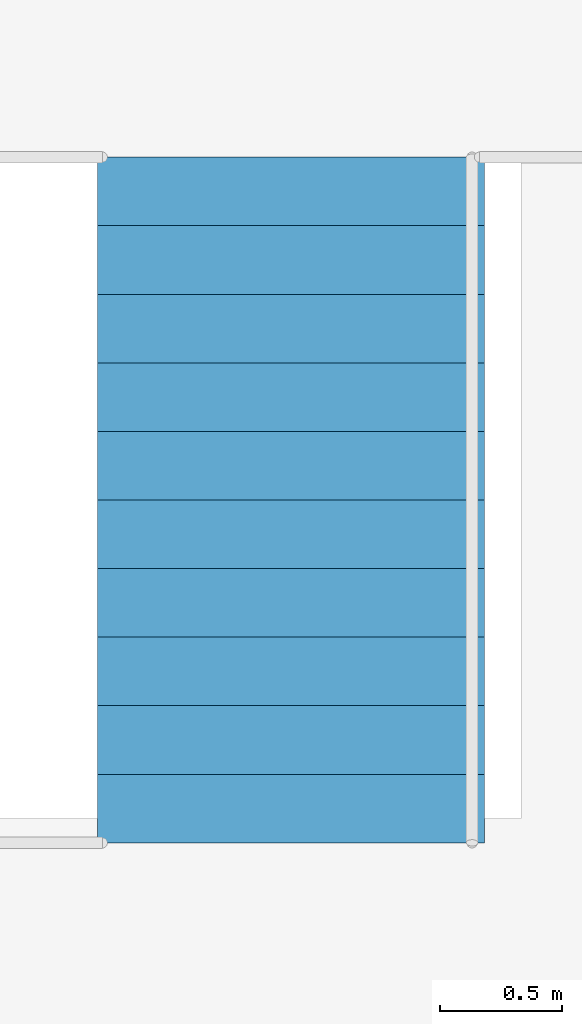
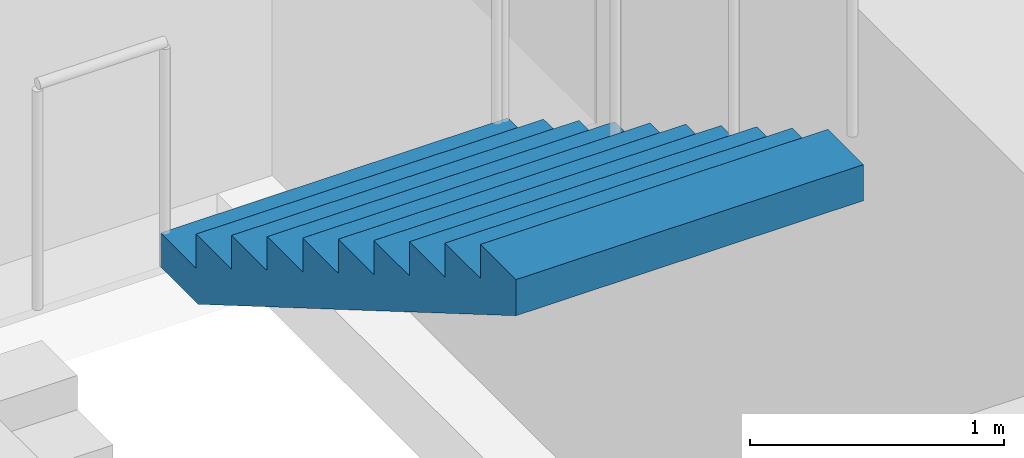
# One storey, part 10 of 11: 1 stair flight, 1 element without a shape of its own.
"""IFC4 building model written with IfcOpenShell, lengths in metres."""

from ifc_helpers import new_model, si_unit, direction, frame, origin, place, context, subcontext, project, spatial, polyline, outline, extrude, material, type_object, element, aggregate, save


model = new_model("IFC4")

# Units and contexts
model_context = context("Model", 3, precision=1e-05, world=origin(), true_north=direction((0.0, 1.0)))
body_context = subcontext(model_context, "Body", "Model", "MODEL_VIEW")
ifc_project = project(units=[si_unit("LENGTHUNIT", "METRE"), si_unit("AREAUNIT", "SQUARE_METRE"), si_unit("VOLUMEUNIT", "CUBIC_METRE"), si_unit("PLANEANGLEUNIT", "RADIAN"), si_unit("MASSUNIT", "GRAM", prefix="KILO")], contexts=[model_context])

# Site, building, storey
site_placement = place(None, origin())
site = spatial("IfcSite", under=ifc_project, at=site_placement, CompositionType="ELEMENT")
building_placement = place(site_placement, origin())
building = spatial("IfcBuilding", under=site, at=building_placement, Name="Pilkhan Gate Tower", CompositionType="ELEMENT")
storey_placement = place(building_placement, frame((0.0, 0.0, 125.199951171875)))
storey = spatial("IfcBuildingStorey", under=building, at=storey_placement, Name="L31", CompositionType="ELEMENT", Elevation=125.199951171875)

# Stair, stair flight
ifc_material = material(Name="Concrete C40/50 precast", Category="concrete")
stair_type = type_object("IfcStairType", Name="Stair ST4 164x280", PredefinedType="HALF_TURN_STAIR", material=ifc_material)
stair_placement = place(storey_placement, origin())
stair = element("IfcStair", 1, at=stair_placement, inside=storey, type_object=stair_type, Name="Stair ST4 L31", PredefinedType="HALF_TURN_STAIR")
stair_flight_type = type_object("IfcStairFlightType", Name="Stair flight ST4 164x280x11", PredefinedType="STRAIGHT", material=ifc_material)
stair_flight_placement = place(storey_placement, frame((87.81005859375, 90.199951171875, 1.800048828125), z_axis=(0.0, 0.0, 1.0), x_axis=(0.0, -1.0, 0.0)))
stair_flight = element("IfcStairFlight", 2, at=stair_flight_placement, type_object=stair_flight_type, Name="ST4 flight 2", NumberOfRisers=11, NumberOfTreads=10, PredefinedType="STRAIGHT", RiserHeight=0.163636364, TreadLength=0.28, context=body_context, shape_type="SweptSolid", body=[
    extrude(outline(polyline([(0.0, 0.0), (0.0, 0.16357421875), (0.280029296875, 0.16357421875), (0.280029296875, 0.327392578125), (0.56005859375, 0.327392578125), (0.56005859375, 0.490966796875), (0.840087890625, 0.490966796875), (0.840087890625, 0.654541015625), (1.1201171875, 0.654541015625), (1.1201171875, 0.818115234375), (1.39990234375, 0.818115234375), (1.39990234375, 0.98193359375), (1.679931640625, 0.98193359375), (1.679931640625, 1.1455078125), (1.9599609375, 1.1455078125), (1.9599609375, 1.30908203125), (2.239990234375, 1.30908203125), (2.239990234375, 1.47265625), (2.52001953125, 1.47265625), (2.52001953125, 1.636474609375), (2.800048828125, 1.636474609375), (2.800048828125, 1.800048828125), (2.800048828125, 1.462646484375), (0.297119140625, 0.0), (0.0, 0.0)])), frame((0.0, 0.7900390625, 0.0), z_axis=(0.0, -1.0, 0.0), x_axis=(1.0, 0.0, 0.0)), (0.0, 0.0, 1.0), 1.580078125),
])
aggregate(stair, [stair_flight])

save(model, "model.ifc")
